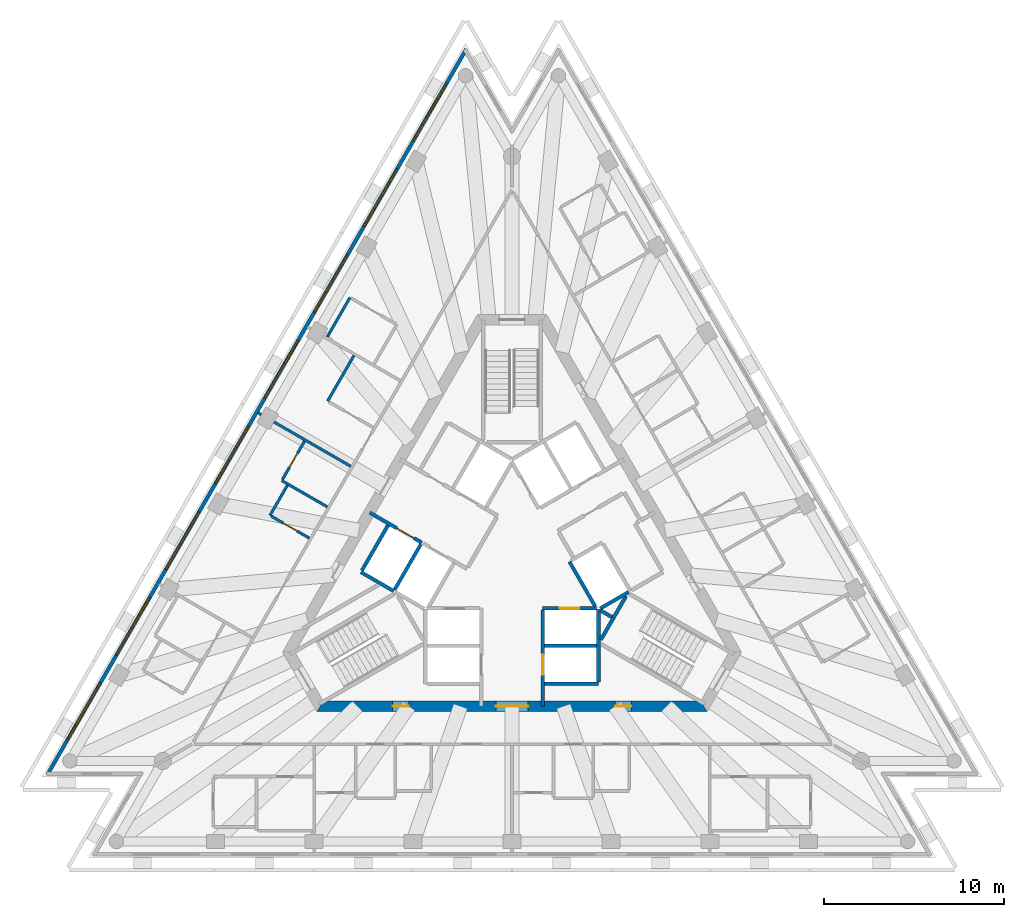
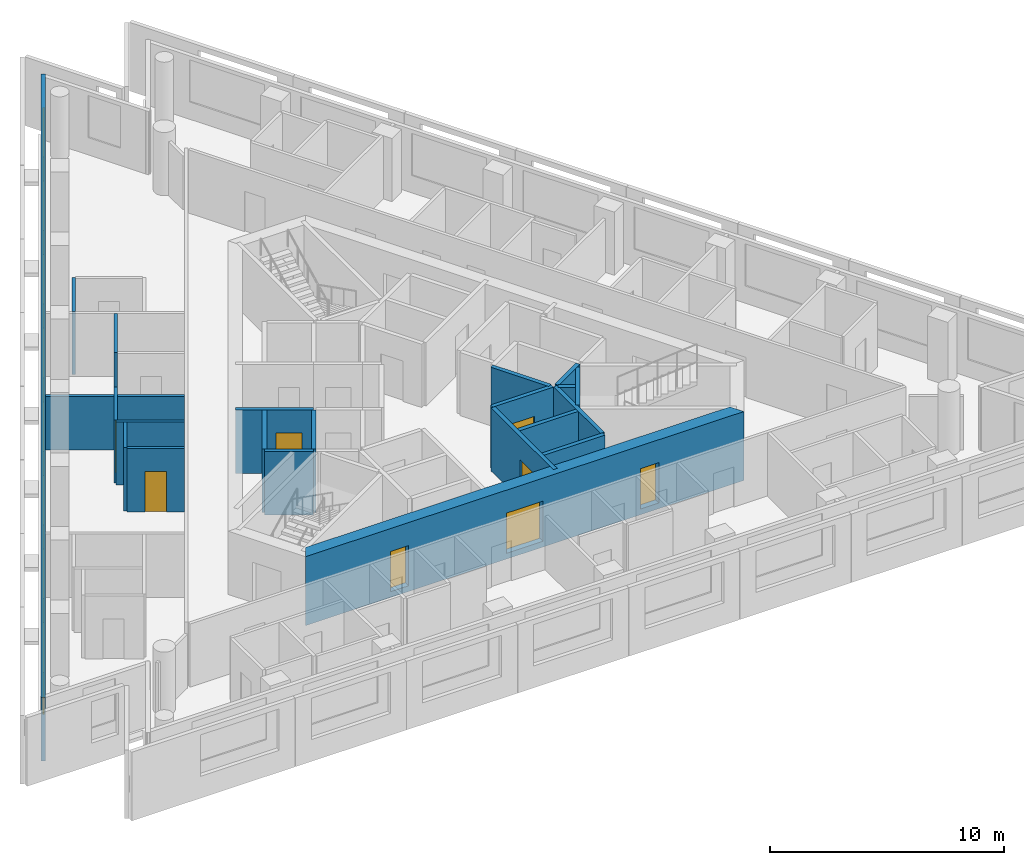
# One storey, part 4 of 9: 22 walls, 8 doors, 8 windows, 16 openings.
"""IFC4 building model written with IfcOpenShell, lengths in metres."""

from ifc_helpers import new_model, si_unit, direction, frame, frame_2d, origin, place, context, subcontext, project, spatial, polyline, rectangle, outline, extrude, material, layer, layer_set, layer_usage, type_object, element, fill, save


model = new_model("IFC4")

# Units and contexts
model_context = context("Model", 3, precision=1e-05, world=origin(), true_north=direction((0.0, 1.0)))
body_context = subcontext(model_context, "Body", "Model", "MODEL_VIEW")
ifc_project = project(units=[si_unit("LENGTHUNIT", "METRE"), si_unit("AREAUNIT", "SQUARE_METRE"), si_unit("VOLUMEUNIT", "CUBIC_METRE"), si_unit("PLANEANGLEUNIT", "RADIAN"), si_unit("MASSUNIT", "GRAM", prefix="KILO")], contexts=[model_context])

# Site, building, storey
site_placement = place(None, origin())
site = spatial("IfcSite", under=ifc_project, at=site_placement, CompositionType="ELEMENT")
building_placement = place(site_placement, origin())
building = spatial("IfcBuilding", under=site, at=building_placement, Name="Triada Interchange Tower", CompositionType="ELEMENT")
storey_placement = place(building_placement, frame((0.0, 0.0, 286.300048828125)))
storey = spatial("IfcBuildingStorey", under=building, at=storey_placement, Name="L67", CompositionType="ELEMENT", Elevation=286.300048828125)

# Walls
ifc_material_1 = material(Name="Concrete C30/37", Category="concrete")
ifc_layer_1 = layer(ifc_material_1, 0.199951171875)
ifc_layer_set_1 = layer_set([ifc_layer_1], Name="CORE WALL 200 EI 120")
wall_type_1 = type_object("IfcWallType", Name="CORE WALL 200 EI 120", PredefinedType="SOLIDWALL", material=ifc_layer_set_1)
wall_1_placement = place(storey_placement, frame((-8.3759765625, -0.70703125, 0.0), z_axis=(0.0, 0.0, 1.0), x_axis=(0.866067520717, -0.499927044236, 0.0)))
element("IfcWall", 1, at=wall_1_placement, inside=storey, type_object=wall_type_1, Name="Wall L65 70", PredefinedType="SOLIDWALL", context=body_context, shape_type="SweptSolid", body=[
    extrude(rectangle(XDim=2.100341796875, YDim=0.199951171875, at=frame_2d((1.05029296875, 0.0))), origin(), (0.0, 0.0, 1.0), 3.300048828125),
])
wall_2_placement = place(storey_placement, frame((-8.325927734375, -0.6201171875, 0.0), z_axis=(0.0, 0.0, 1.0), x_axis=(0.500023687443, 0.866011727401, 0.0)))
element("IfcWall", 2, at=wall_2_placement, inside=storey, type_object=wall_type_1, Name="Wall L65 71", PredefinedType="SOLIDWALL", context=body_context, shape_type="SweptSolid", body=[
    extrude(rectangle(XDim=2.899658203125, YDim=0.199951171875, at=frame_2d((1.44970703125, 0.0))), origin(), (0.0, 0.0, 1.0), 3.300048828125),
])
wall_3_placement = place(storey_placement, frame((1.800048828125, -4.800048828125, 0.0), z_axis=(0.0, 0.0, 1.0), x_axis=(1.0, 0.0, 0.0)))
element("IfcWall", 3, at=wall_3_placement, inside=storey, type_object=wall_type_1, Name="Wall L65 73", PredefinedType="SOLIDWALL", context=body_context, shape_type="SweptSolid", body=[
    extrude(rectangle(XDim=2.89990234375, YDim=0.199951171875, at=frame_2d((1.449951171875, 0.0))), origin(), (0.0, 0.0, 1.0), 3.300048828125),
])
wall_4_placement = place(storey_placement, frame((1.800048828125, -6.89990234375, 0.0), z_axis=(0.0, 0.0, 1.0), x_axis=(1.0, 0.0, 0.0)))
element("IfcWall", 4, at=wall_4_placement, inside=storey, type_object=wall_type_1, Name="Wall L65 76", PredefinedType="SOLIDWALL", context=body_context, shape_type="SweptSolid", body=[
    extrude(rectangle(XDim=3.0, YDim=0.199951171875, at=frame_2d((1.5, 0.0))), origin(), (0.0, 0.0, 1.0), 3.300048828125),
])

# Wall, opening, door
wall_5_placement = place(storey_placement, frame((1.702880859375, -2.699951171875, 0.0), z_axis=(0.0, 0.0, 1.0), x_axis=(1.0, 0.0, 0.0)))
wall_5 = element("IfcWall", 5, at=wall_5_placement, inside=storey, type_object=wall_type_1, Name="Wall L65 79", PredefinedType="SOLIDWALL", context=body_context, shape_type="SweptSolid", body=[
    extrude(rectangle(XDim=2.97314453125, YDim=0.199951171875, at=frame_2d((1.486572265625, 0.0))), origin(), (0.0, 0.0, 1.0), 3.300048828125),
])
opening_1_placement = place(wall_5_placement, frame((0.93603515625, 0.0, 0.0)))
opening_1 = element("IfcOpeningElement", 6, at=opening_1_placement, cuts=wall_5, Name="Opening LD-HR1", PredefinedType="OPENING", context=body_context, shape_type="SweptSolid", body=[
    extrude(rectangle(XDim=1.10009765625, YDim=2.10009765625, at=frame_2d((0.550048828125, 1.050048828125))), frame((0.0, 0.10986328125, 0.0), z_axis=(0.0, -1.0, 0.0), x_axis=(1.0, 0.0, 0.0)), (0.0, 0.0, 1.0), 0.219970703125),
])
ifc_material_2 = material(Name="Steel S235 door leaf", Category="steel")
door_type_1 = type_object("IfcDoorType", Name="LIFT LANDING DOOR 1100 EI 120", OperationType="SLIDING_TO_LEFT", PredefinedType="DOOR", material=ifc_material_2)
door_1_placement = place(opening_1_placement, origin())
door_1 = element("IfcDoor", 7, at=door_1_placement, inside=storey, type_object=door_type_1, Name="HR1 landing door L67", OperationType="SLIDING_TO_LEFT", OverallHeight=2.10009765625, OverallWidth=1.10009765625, PredefinedType="DOOR", context=body_context, shape_type="SweptSolid", body=[
    extrude(rectangle(XDim=1.10009765625, YDim=2.10009765625, at=frame_2d((0.550048828125, 1.050048828125))), frame((0.0, 0.02490234375, 0.0), z_axis=(0.0, -1.0, 0.0), x_axis=(1.0, 0.0, 0.0)), (0.0, 0.0, 1.0), 0.050048828125),
])
fill(opening_1, door_1)

# Wall
wall_6_placement = place(storey_placement, frame((3.18994140625, -0.125, 0.0), z_axis=(0.0, 0.0, 1.0), x_axis=(0.499988658015, -0.866031951983, 0.0)))
element("IfcWall", 8, at=wall_6_placement, inside=storey, type_object=wall_type_1, Name="Wall L65 82", PredefinedType="SOLIDWALL", context=body_context, shape_type="SweptSolid", body=[
    extrude(rectangle(XDim=2.85791015625, YDim=0.199951171875, at=frame_2d((1.428955078125, 0.0))), origin(), (0.0, 0.0, 1.0), 3.300048828125),
])

# Wall, opening, door
wall_7_placement = place(storey_placement, frame((1.699951171875, -8.1298828125, 0.0), z_axis=(0.0, 0.0, 1.0), x_axis=(0.0, 1.0, 0.0)))
wall_7 = element("IfcWall", 9, at=wall_7_placement, inside=storey, type_object=wall_type_1, Name="Wall L65 84", PredefinedType="SOLIDWALL", context=body_context, shape_type="SweptSolid", body=[
    extrude(rectangle(XDim=5.326904296875, YDim=0.199951171875, at=frame_2d((2.66357421875, 0.0))), origin(), (0.0, 0.0, 1.0), 3.300048828125),
])
opening_2_placement = place(wall_7_placement, frame((1.72998046875, 0.0, 0.0)))
opening_2 = element("IfcOpeningElement", 10, at=opening_2_placement, cuts=wall_7, Name="Opening LD-HR2", PredefinedType="OPENING", context=body_context, shape_type="SweptSolid", body=[
    extrude(rectangle(XDim=1.10009765625, YDim=2.10009765625, at=frame_2d((0.550048828125, 1.050048828125))), frame((0.0, 0.10986328125, 0.0), z_axis=(0.0, -1.0, 0.0), x_axis=(1.0, 0.0, 0.0)), (0.0, 0.0, 1.0), 0.219970703125),
])
door_2_placement = place(opening_2_placement, origin())
door_2 = element("IfcDoor", 11, at=door_2_placement, inside=storey, type_object=door_type_1, Name="HR2 landing door L67", OperationType="SLIDING_TO_LEFT", OverallHeight=2.10009765625, OverallWidth=1.10009765625, PredefinedType="DOOR", context=body_context, shape_type="SweptSolid", body=[
    extrude(rectangle(XDim=1.10009765625, YDim=2.10009765625, at=frame_2d((0.550048828125, 1.050048828125))), frame((0.0, 0.02490234375, 0.0), z_axis=(0.0, -1.0, 0.0), x_axis=(1.0, 0.0, 0.0)), (0.0, 0.0, 1.0), 0.050048828125),
])
fill(opening_2, door_2)

# Walls
wall_8_placement = place(storey_placement, frame((4.800048828125, -6.800048828125, 0.0), z_axis=(0.0, 0.0, 1.0), x_axis=(0.0, 1.0, 0.0)))
element("IfcWall", 12, at=wall_8_placement, inside=storey, type_object=wall_type_1, Name="Wall L65 85", PredefinedType="SOLIDWALL", context=body_context, shape_type="SweptSolid", body=[
    extrude(rectangle(XDim=4.029052734375, YDim=0.199951171875, at=frame_2d((2.0146484375, 0.0))), origin(), (0.0, 0.0, 1.0), 3.300048828125),
])
wall_9_placement = place(storey_placement, frame((4.89990234375, -2.714111328125, 0.0), z_axis=(0.0, 0.0, 1.0), x_axis=(0.865846928409, 0.500309001083, 0.0)))
element("IfcWall", 13, at=wall_9_placement, inside=storey, type_object=wall_type_1, Name="Wall L65 91", PredefinedType="SOLIDWALL", context=body_context, shape_type="SweptSolid", body=[
    extrude(rectangle(XDim=1.813232421875, YDim=0.199951171875, at=frame_2d((0.90673828125, 0.0))), origin(), (0.0, 0.0, 1.0), 3.300048828125),
])

# Wall, opening, door
ifc_layer_2 = layer(ifc_material_1, 0.199951171875)
ifc_layer_set_2 = layer_set([ifc_layer_2], Name="CORE WALL 200 EI 180")
wall_type_2 = type_object("IfcWallType", Name="CORE WALL 200 EI 180", PredefinedType="SOLIDWALL", material=ifc_layer_set_2)
wall_10_placement = place(storey_placement, frame((-7.89111328125, 2.593017578125, 0.0), z_axis=(0.0, 0.0, 1.0), x_axis=(0.866070917804, -0.499921159118, 0.0)))
wall_10 = element("IfcWall", 14, at=wall_10_placement, inside=storey, type_object=wall_type_2, Name="Wall L65 95", PredefinedType="SOLIDWALL", context=body_context, shape_type="SweptSolid", body=[
    extrude(rectangle(XDim=3.33251953125, YDim=0.199951171875, at=frame_2d((1.666259765625, 0.0))), origin(), (0.0, 0.0, 1.0), 3.300048828125),
])
opening_3_placement = place(wall_10_placement, frame((1.72998046875, 0.0, 0.0)))
opening_3 = element("IfcOpeningElement", 15, at=opening_3_placement, cuts=wall_10, Name="Opening LD-SV1", PredefinedType="OPENING", context=body_context, shape_type="SweptSolid", body=[
    extrude(rectangle(XDim=1.10009765625, YDim=2.10009765625, at=frame_2d((0.550048828125, 1.050048828125))), frame((0.0, 0.10986328125, 0.0), z_axis=(0.0, -1.0, 0.0), x_axis=(1.0, 0.0, 0.0)), (0.0, 0.0, 1.0), 0.219970703125),
])
door_3_placement = place(opening_3_placement, origin())
door_3 = element("IfcDoor", 16, at=door_3_placement, inside=storey, type_object=door_type_1, Name="SV1 landing door L67", OperationType="SLIDING_TO_LEFT", OverallHeight=2.10009765625, OverallWidth=1.10009765625, PredefinedType="DOOR", context=body_context, shape_type="SweptSolid", body=[
    extrude(rectangle(XDim=1.10009765625, YDim=2.10009765625, at=frame_2d((0.550048828125, 1.050048828125))), frame((0.0, 0.02490234375, 0.0), z_axis=(0.0, -1.0, 0.0), x_axis=(1.0, 0.0, 0.0)), (0.0, 0.0, 1.0), 0.050048828125),
])
fill(opening_3, door_3)

# Walls
wall_11_placement = place(storey_placement, frame((-6.507080078125, -1.669921875, 0.0), z_axis=(0.0, 0.0, 1.0), x_axis=(0.50012328804, 0.865954211699, 0.0)))
element("IfcWall", 17, at=wall_11_placement, inside=storey, type_object=wall_type_2, Name="Shaft wall FF1 L65 102", PredefinedType="SOLIDWALL", context=body_context, shape_type="SweptSolid", body=[
    extrude(rectangle(XDim=2.899658203125, YDim=0.199951171875, at=frame_2d((1.44970703125, 0.0))), origin(), (0.0, 0.0, 1.0), 3.300048828125),
])
ifc_layer_3 = layer(ifc_material_1, 0.199951171875)
ifc_layer_set_3 = layer_set([ifc_layer_3], Name="CORE WALL 200 EI 90")
wall_type_3 = type_object("IfcWallType", Name="CORE WALL 200 EI 90", PredefinedType="SOLIDWALL", material=ifc_layer_set_3)
wall_12_placement = place(storey_placement, frame((4.89990234375, -2.8291015625, 0.0), z_axis=(0.0, 0.0, 1.0), x_axis=(0.866273177064, -0.499570598314, 0.0)))
element("IfcWall", 18, at=wall_12_placement, inside=storey, type_object=wall_type_3, Name="Wall L65 111", PredefinedType="SOLIDWALL", context=body_context, shape_type="SweptSolid", body=[
    extrude(rectangle(XDim=0.742431640625, YDim=0.199951171875, at=frame_2d((0.37109375, 0.0))), origin(), (0.0, 0.0, 1.0), 3.300048828125),
])
ifc_layer_4 = layer(ifc_material_1, 0.199951171875)
ifc_layer_set_4 = layer_set([ifc_layer_4], Name="CORE WALL 200 REI 240")
wall_type_4 = type_object("IfcWallType", Name="CORE WALL 200 REI 240", PredefinedType="SOLIDWALL", material=ifc_layer_set_4)
wall_13_placement = place(storey_placement, frame((4.928955078125, -4.4619140625, 0.0), z_axis=(0.0, 0.0, 1.0), x_axis=(0.500200581029, 0.865909567298, 0.0)))
element("IfcWall", 19, at=wall_13_placement, inside=storey, type_object=wall_type_4, Name="Wall L65 121", PredefinedType="SOLIDWALL", context=body_context, shape_type="SweptSolid", body=[
    extrude(rectangle(XDim=2.799072265625, YDim=0.199951171875, at=frame_2d((1.3994140625, 0.0))), origin(), (0.0, 0.0, 1.0), 3.300048828125),
])

# Wall, openings, doors
ifc_material_3 = material(Name="Concrete C40/50", Category="concrete")
ifc_layer_5 = layer(ifc_material_3, 0.60009765625)
ifc_layer_set_5 = layer_set([ifc_layer_5], Name="Core wall D 600")
wall_type_5 = type_object("IfcWallType", Name="Core wall D 600", PredefinedType="SHEAR", material=ifc_layer_set_5)
wall_14_placement = place(storey_placement, frame((-10.652099609375, -8.14990234375, -0.300048828125), z_axis=(0.0, 0.0, 1.0), x_axis=(1.0, 0.0, 0.0)))
wall_14 = element("IfcWall", 20, at=wall_14_placement, inside=storey, type_object=wall_type_5, Name="Core wall WD04 L67", PredefinedType="SHEAR", context=body_context, shape_type="SweptSolid", body=[
    extrude(outline(polyline([(-0.173095703125, -0.300048828125), (1.795166015625, -0.300048828125), (3.76318359375, -0.300048828125), (5.7314453125, -0.300048828125), (7.69970703125, -0.300048828125), (9.66796875, -0.300048828125), (11.635986328125, -0.300048828125), (13.604248046875, -0.300048828125), (15.572509765625, -0.300048828125), (17.540771484375, -0.300048828125), (19.5087890625, -0.300048828125), (21.47705078125, -0.300048828125), (21.131103515625, 0.300048828125), (19.225830078125, 0.300048828125), (17.320556640625, 0.300048828125), (15.415283203125, 0.300048828125), (13.510009765625, 0.300048828125), (11.604736328125, 0.300048828125), (9.699462890625, 0.300048828125), (7.794189453125, 0.300048828125), (5.888916015625, 0.300048828125), (3.983642578125, 0.300048828125), (2.078369140625, 0.300048828125), (0.173095703125, 0.300048828125), (-0.173095703125, -0.300048828125)])), origin(), (0.0, 0.0, 1.0), 3.60009765625),
])
opening_4_placement = place(wall_14_placement, frame((9.751953125, 0.0, 0.300048828125)))
opening_4 = element("IfcOpeningElement", 21, at=opening_4_placement, cuts=wall_14, Name="Opening D65-48", PredefinedType="OPENING", context=body_context, shape_type="SweptSolid", body=[
    extrude(rectangle(XDim=1.800048828125, YDim=2.10009765625, at=frame_2d((0.89990234375, 1.050048828125))), frame((0.0, 0.31005859375, 0.0), z_axis=(0.0, -1.0, 0.0), x_axis=(1.0, 0.0, 0.0)), (0.0, 0.0, 1.0), 0.6201171875),
])
opening_5_placement = place(wall_14_placement, frame((4.02587890625, 0.0, 0.300048828125)))
opening_5 = element("IfcOpeningElement", 22, at=opening_5_placement, cuts=wall_14, Name="Opening D65-54", PredefinedType="OPENING", context=body_context, shape_type="SweptSolid", body=[
    extrude(rectangle(XDim=0.89990234375, YDim=2.10009765625, at=frame_2d((0.449951171875, 1.050048828125))), frame((0.0, 0.31005859375, 0.0), z_axis=(0.0, -1.0, 0.0), x_axis=(1.0, 0.0, 0.0)), (0.0, 0.0, 1.0), 0.6201171875),
])
opening_6_placement = place(wall_14_placement, frame((16.3779296875, 0.0, 0.300048828125)))
opening_6 = element("IfcOpeningElement", 23, at=opening_6_placement, cuts=wall_14, Name="Opening D65-56", PredefinedType="OPENING", context=body_context, shape_type="SweptSolid", body=[
    extrude(rectangle(XDim=0.89990234375, YDim=2.10009765625, at=frame_2d((0.449951171875, 1.050048828125))), frame((0.0, 0.31005859375, 0.0), z_axis=(0.0, -1.0, 0.0), x_axis=(1.0, 0.0, 0.0)), (0.0, 0.0, 1.0), 0.6201171875),
])
door_type_2 = type_object("IfcDoorType", Name="LOBBY DOOR 1800 EI2 90-C5S200", OperationType="DOUBLE_DOOR_SINGLE_SWING", PredefinedType="DOOR", material=ifc_material_2)
door_4_placement = place(opening_4_placement, origin())
door_4 = element("IfcDoor", 24, at=door_4_placement, inside=storey, type_object=door_type_2, Name="Door D65-48 L67", OperationType="DOUBLE_DOOR_SINGLE_SWING", OverallHeight=2.10009765625, OverallWidth=1.800048828125, PredefinedType="DOOR", context=body_context, shape_type="SweptSolid", body=[
    extrude(rectangle(XDim=1.800048828125, YDim=2.10009765625, at=frame_2d((0.89990234375, 1.050048828125))), frame((0.0, 0.02490234375, 0.0), z_axis=(0.0, -1.0, 0.0), x_axis=(1.0, 0.0, 0.0)), (0.0, 0.0, 1.0), 0.050048828125),
])
fill(opening_4, door_4)
door_type_3 = type_object("IfcDoorType", Name="SERVICE DOOR 900 EI2 45-C5S200", OperationType="NOTDEFINED", PredefinedType="DOOR", material=ifc_material_2)
door_5_placement = place(opening_5_placement, origin())
door_5 = element("IfcDoor", 25, at=door_5_placement, inside=storey, type_object=door_type_3, Name="Door D65-54 L67", OperationType="SINGLE_SWING_RIGHT", OverallHeight=2.10009765625, OverallWidth=0.89990234375, PredefinedType="DOOR", context=body_context, shape_type="SweptSolid", body=[
    extrude(rectangle(XDim=0.89990234375, YDim=2.10009765625, at=frame_2d((0.449951171875, 1.050048828125))), frame((0.0, 0.02490234375, 0.0), z_axis=(0.0, -1.0, 0.0), x_axis=(1.0, 0.0, 0.0)), (0.0, 0.0, 1.0), 0.050048828125),
])
fill(opening_5, door_5)
door_6_placement = place(opening_6_placement, origin())
door_6 = element("IfcDoor", 26, at=door_6_placement, inside=storey, type_object=door_type_3, Name="Door D65-56 L67", OperationType="SINGLE_SWING_RIGHT", OverallHeight=2.10009765625, OverallWidth=0.89990234375, PredefinedType="DOOR", context=body_context, shape_type="SweptSolid", body=[
    extrude(rectangle(XDim=0.89990234375, YDim=2.10009765625, at=frame_2d((0.449951171875, 1.050048828125))), frame((0.0, 0.02490234375, 0.0), z_axis=(0.0, -1.0, 0.0), x_axis=(1.0, 0.0, 0.0)), (0.0, 0.0, 1.0), 0.050048828125),
])
fill(opening_6, door_6)

# Wall, openings, windows
ifc_material_4 = material(Name="Cement board")
ifc_layer_6 = layer(ifc_material_4, 0.02001953125, Name="Cement board cladding")
ifc_material_5 = material(Name="Sheathing board")
ifc_layer_7 = layer(ifc_material_5, 0.014892578125, Name="Sheathing board")
ifc_material_6 = material(Name="Mineral wool")
ifc_layer_8 = layer(ifc_material_6, 0.14990234375, Name="Mineral wool between steel studs")
ifc_material_7 = material(Name="Gypsum board")
ifc_layer_9 = layer(ifc_material_7, 0.014892578125, Name="Plasterboard lining")
ifc_layer_set_6 = layer_set([ifc_layer_6, ifc_layer_7, ifc_layer_8, ifc_layer_9], Name="External wall 200")
ifc_layer_usage = layer_usage(ifc_layer_set_6, "AXIS2", "POSITIVE", -0.10009765625)
wall_type_6 = type_object("IfcWallType", Name="External wall 200", PredefinedType="ELEMENTEDWALL", material=ifc_layer_set_6)
wall_15_placement = place(storey_placement, frame((-2.535888671875, 28.31591796875, 0.0), z_axis=(0.0, 0.0, 1.0), x_axis=(-0.500006870765, -0.86602143691, 0.0)))
wall_15 = element("IfcWall", 27, at=wall_15_placement, inside=storey, type_object=wall_type_6, material=ifc_layer_usage, Name="External wall L67 NW", PredefinedType="ELEMENTEDWALL", context=body_context, shape_type="SweptSolid", body=[
    extrude(rectangle(XDim=46.489501953125, YDim=0.199951171875, at=frame_2d((23.24462890625, 0.0))), origin(), (0.0, 0.0, 1.0), 3.300048828125),
])
opening_7_placement = place(wall_15_placement, frame((2.196044921875, 0.0, 0.89990234375)))
opening_7 = element("IfcOpeningElement", 28, at=opening_7_placement, cuts=wall_15, Name="Opening WD01", PredefinedType="OPENING", context=body_context, shape_type="SweptSolid", body=[
    extrude(rectangle(XDim=3.699951171875, YDim=2.199951171875, at=frame_2d((1.85009765625, 1.10009765625))), frame((0.0, 0.10986328125, 0.0), z_axis=(0.0, -1.0, 0.0), x_axis=(1.0, 0.0, 0.0)), (0.0, 0.0, 1.0), 0.219970703125),
])
opening_8_placement = place(wall_15_placement, frame((7.68408203125, 0.0, 0.89990234375)))
opening_8 = element("IfcOpeningElement", 29, at=opening_8_placement, cuts=wall_15, Name="Opening WD02", PredefinedType="OPENING", context=body_context, shape_type="SweptSolid", body=[
    extrude(rectangle(XDim=3.699951171875, YDim=2.199951171875, at=frame_2d((1.85009765625, 1.10009765625))), frame((0.0, 0.10986328125, 0.0), z_axis=(0.0, -1.0, 0.0), x_axis=(1.0, 0.0, 0.0)), (0.0, 0.0, 1.0), 0.219970703125),
])
opening_9_placement = place(wall_15_placement, frame((13.172119140625, 0.0, 0.89990234375)))
opening_9 = element("IfcOpeningElement", 30, at=opening_9_placement, cuts=wall_15, Name="Opening WD03", PredefinedType="OPENING", context=body_context, shape_type="SweptSolid", body=[
    extrude(rectangle(XDim=3.699951171875, YDim=2.199951171875, at=frame_2d((1.85009765625, 1.10009765625))), frame((0.0, 0.10986328125, 0.0), z_axis=(0.0, -1.0, 0.0), x_axis=(1.0, 0.0, 0.0)), (0.0, 0.0, 1.0), 0.219970703125),
])
opening_10_placement = place(wall_15_placement, frame((18.659912109375, 0.0, 0.89990234375)))
opening_10 = element("IfcOpeningElement", 31, at=opening_10_placement, cuts=wall_15, Name="Opening WD04", PredefinedType="OPENING", context=body_context, shape_type="SweptSolid", body=[
    extrude(rectangle(XDim=3.699951171875, YDim=2.199951171875, at=frame_2d((1.85009765625, 1.10009765625))), frame((0.0, 0.10986328125, 0.0), z_axis=(0.0, -1.0, 0.0), x_axis=(1.0, 0.0, 0.0)), (0.0, 0.0, 1.0), 0.219970703125),
])
opening_11_placement = place(wall_15_placement, frame((24.14794921875, 0.0, 0.89990234375)))
opening_11 = element("IfcOpeningElement", 32, at=opening_11_placement, cuts=wall_15, Name="Opening WD05", PredefinedType="OPENING", context=body_context, shape_type="SweptSolid", body=[
    extrude(rectangle(XDim=3.699951171875, YDim=2.199951171875, at=frame_2d((1.85009765625, 1.10009765625))), frame((0.0, 0.10986328125, 0.0), z_axis=(0.0, -1.0, 0.0), x_axis=(1.0, 0.0, 0.0)), (0.0, 0.0, 1.0), 0.219970703125),
])
opening_12_placement = place(wall_15_placement, frame((29.635986328125, 0.0, 0.89990234375)))
opening_12 = element("IfcOpeningElement", 33, at=opening_12_placement, cuts=wall_15, Name="Opening WD06", PredefinedType="OPENING", context=body_context, shape_type="SweptSolid", body=[
    extrude(rectangle(XDim=3.699951171875, YDim=2.199951171875, at=frame_2d((1.85009765625, 1.10009765625))), frame((0.0, 0.10986328125, 0.0), z_axis=(0.0, -1.0, 0.0), x_axis=(1.0, 0.0, 0.0)), (0.0, 0.0, 1.0), 0.219970703125),
])
opening_13_placement = place(wall_15_placement, frame((35.1240234375, 0.0, 0.89990234375)))
opening_13 = element("IfcOpeningElement", 34, at=opening_13_placement, cuts=wall_15, Name="Opening WD07", PredefinedType="OPENING", context=body_context, shape_type="SweptSolid", body=[
    extrude(rectangle(XDim=3.699951171875, YDim=2.199951171875, at=frame_2d((1.85009765625, 1.10009765625))), frame((0.0, 0.10986328125, 0.0), z_axis=(0.0, -1.0, 0.0), x_axis=(1.0, 0.0, 0.0)), (0.0, 0.0, 1.0), 0.219970703125),
])
opening_14_placement = place(wall_15_placement, frame((40.612060546875, 0.0, 0.89990234375)))
opening_14 = element("IfcOpeningElement", 35, at=opening_14_placement, cuts=wall_15, Name="Opening WD08", PredefinedType="OPENING", context=body_context, shape_type="SweptSolid", body=[
    extrude(rectangle(XDim=3.699951171875, YDim=2.199951171875, at=frame_2d((1.85009765625, 1.10009765625))), frame((0.0, 0.10986328125, 0.0), z_axis=(0.0, -1.0, 0.0), x_axis=(1.0, 0.0, 0.0)), (0.0, 0.0, 1.0), 0.219970703125),
])
ifc_material_8 = material(Name="Double glazed aluminium window", Category="aluminium")
window_type = type_object("IfcWindowType", Name="Ribbon window D face", PartitioningType="SINGLE_PANEL", PredefinedType="WINDOW", material=ifc_material_8)
window_1_placement = place(opening_7_placement, origin())
window_1 = element("IfcWindow", 36, at=window_1_placement, inside=storey, type_object=window_type, Name="Window L67 NW 1", OverallHeight=2.199951171875, OverallWidth=3.699951171875, PartitioningType="SINGLE_PANEL", PredefinedType="WINDOW", context=body_context, shape_type="SweptSolid", body=[
    extrude(rectangle(XDim=3.699951171875, YDim=2.199951171875, at=frame_2d((1.85009765625, 1.10009765625))), frame((0.0, 0.030029296875, 0.0), z_axis=(0.0, -1.0, 0.0), x_axis=(1.0, 0.0, 0.0)), (0.0, 0.0, 1.0), 0.06005859375),
])
fill(opening_7, window_1)
window_2_placement = place(opening_8_placement, origin())
window_2 = element("IfcWindow", 37, at=window_2_placement, inside=storey, type_object=window_type, Name="Window L67 NW 2", OverallHeight=2.199951171875, OverallWidth=3.699951171875, PartitioningType="SINGLE_PANEL", PredefinedType="WINDOW", context=body_context, shape_type="SweptSolid", body=[
    extrude(rectangle(XDim=3.699951171875, YDim=2.199951171875, at=frame_2d((1.85009765625, 1.10009765625))), frame((0.0, 0.030029296875, 0.0), z_axis=(0.0, -1.0, 0.0), x_axis=(1.0, 0.0, 0.0)), (0.0, 0.0, 1.0), 0.06005859375),
])
fill(opening_8, window_2)
window_3_placement = place(opening_9_placement, origin())
window_3 = element("IfcWindow", 38, at=window_3_placement, inside=storey, type_object=window_type, Name="Window L67 NW 3", OverallHeight=2.199951171875, OverallWidth=3.699951171875, PartitioningType="SINGLE_PANEL", PredefinedType="WINDOW", context=body_context, shape_type="SweptSolid", body=[
    extrude(rectangle(XDim=3.699951171875, YDim=2.199951171875, at=frame_2d((1.85009765625, 1.10009765625))), frame((0.0, 0.030029296875, 0.0), z_axis=(0.0, -1.0, 0.0), x_axis=(1.0, 0.0, 0.0)), (0.0, 0.0, 1.0), 0.06005859375),
])
fill(opening_9, window_3)
window_4_placement = place(opening_10_placement, origin())
window_4 = element("IfcWindow", 39, at=window_4_placement, inside=storey, type_object=window_type, Name="Window L67 NW 4", OverallHeight=2.199951171875, OverallWidth=3.699951171875, PartitioningType="SINGLE_PANEL", PredefinedType="WINDOW", context=body_context, shape_type="SweptSolid", body=[
    extrude(rectangle(XDim=3.699951171875, YDim=2.199951171875, at=frame_2d((1.85009765625, 1.10009765625))), frame((0.0, 0.030029296875, 0.0), z_axis=(0.0, -1.0, 0.0), x_axis=(1.0, 0.0, 0.0)), (0.0, 0.0, 1.0), 0.06005859375),
])
fill(opening_10, window_4)
window_5_placement = place(opening_11_placement, origin())
window_5 = element("IfcWindow", 40, at=window_5_placement, inside=storey, type_object=window_type, Name="Window L67 NW 5", OverallHeight=2.199951171875, OverallWidth=3.699951171875, PartitioningType="SINGLE_PANEL", PredefinedType="WINDOW", context=body_context, shape_type="SweptSolid", body=[
    extrude(rectangle(XDim=3.699951171875, YDim=2.199951171875, at=frame_2d((1.85009765625, 1.10009765625))), frame((0.0, 0.030029296875, 0.0), z_axis=(0.0, -1.0, 0.0), x_axis=(1.0, 0.0, 0.0)), (0.0, 0.0, 1.0), 0.06005859375),
])
fill(opening_11, window_5)
window_6_placement = place(opening_12_placement, origin())
window_6 = element("IfcWindow", 41, at=window_6_placement, inside=storey, type_object=window_type, Name="Window L67 NW 6", OverallHeight=2.199951171875, OverallWidth=3.699951171875, PartitioningType="SINGLE_PANEL", PredefinedType="WINDOW", context=body_context, shape_type="SweptSolid", body=[
    extrude(rectangle(XDim=3.699951171875, YDim=2.199951171875, at=frame_2d((1.85009765625, 1.10009765625))), frame((0.0, 0.030029296875, 0.0), z_axis=(0.0, -1.0, 0.0), x_axis=(1.0, 0.0, 0.0)), (0.0, 0.0, 1.0), 0.06005859375),
])
fill(opening_12, window_6)
window_7_placement = place(opening_13_placement, origin())
window_7 = element("IfcWindow", 42, at=window_7_placement, inside=storey, type_object=window_type, Name="Window L67 NW 7", OverallHeight=2.199951171875, OverallWidth=3.699951171875, PartitioningType="SINGLE_PANEL", PredefinedType="WINDOW", context=body_context, shape_type="SweptSolid", body=[
    extrude(rectangle(XDim=3.699951171875, YDim=2.199951171875, at=frame_2d((1.85009765625, 1.10009765625))), frame((0.0, 0.030029296875, 0.0), z_axis=(0.0, -1.0, 0.0), x_axis=(1.0, 0.0, 0.0)), (0.0, 0.0, 1.0), 0.06005859375),
])
fill(opening_13, window_7)
window_8_placement = place(opening_14_placement, origin())
window_8 = element("IfcWindow", 43, at=window_8_placement, inside=storey, type_object=window_type, Name="Window L67 NW 8", OverallHeight=2.199951171875, OverallWidth=3.699951171875, PartitioningType="SINGLE_PANEL", PredefinedType="WINDOW", context=body_context, shape_type="SweptSolid", body=[
    extrude(rectangle(XDim=3.699951171875, YDim=2.199951171875, at=frame_2d((1.85009765625, 1.10009765625))), frame((0.0, 0.030029296875, 0.0), z_axis=(0.0, -1.0, 0.0), x_axis=(1.0, 0.0, 0.0)), (0.0, 0.0, 1.0), 0.06005859375),
])
fill(opening_14, window_8)

# Walls
ifc_material_9 = material(Name="Gypsum board partition")
ifc_layer_10 = layer(ifc_material_9, 0.14990234375)
ifc_layer_set_7 = layer_set([ifc_layer_10], Name="PARTITION 150 EI 180")
wall_type_7 = type_object("IfcWallType", Name="PARTITION 150 EI 180", PredefinedType="PARTITIONING", material=ifc_layer_set_7)
wall_16_placement = place(storey_placement, frame((-14.093994140625, 8.136962890625, 0.0), z_axis=(0.0, 0.0, 1.0), x_axis=(0.866004483474, -0.50003623329, 0.0)))
element("IfcWall", 44, at=wall_16_placement, inside=storey, type_object=wall_type_7, Name="Wall L65 6", PredefinedType="PARTITIONING", context=body_context, shape_type="SweptSolid", body=[
    extrude(rectangle(XDim=5.94921875, YDim=0.14990234375, at=frame_2d((2.974609375, 0.0))), origin(), (0.0, 0.0, 1.0), 2.800048828125),
])
ifc_layer_11 = layer(ifc_material_9, 0.14990234375)
ifc_layer_set_8 = layer_set([ifc_layer_11], Name="PARTITION 150 EI 90")
wall_type_8 = type_object("IfcWallType", Name="PARTITION 150 EI 90", PredefinedType="PARTITIONING", material=ifc_layer_set_8)
wall_17_placement = place(storey_placement, frame((-10.251953125, 12.343017578125, 0.0), z_axis=(0.0, 0.0, 1.0), x_axis=(0.499956887143, 0.866050293573, 0.0)))
element("IfcWall", 45, at=wall_17_placement, inside=storey, type_object=wall_type_8, Name="Wall L65 37", PredefinedType="PARTITIONING", context=body_context, shape_type="SweptSolid", body=[
    extrude(rectangle(XDim=2.524169921875, YDim=0.14990234375, at=frame_2d((1.26220703125, 0.0))), origin(), (0.0, 0.0, 1.0), 3.300048828125),
])
wall_18_placement = place(storey_placement, frame((-12.77490234375, 4.373046875, 0.0), z_axis=(0.0, 0.0, 1.0), x_axis=(0.866061874444, -0.499936825643, 0.0)))
element("IfcWall", 46, at=wall_18_placement, inside=storey, type_object=wall_type_8, Name="Wall L65 46", PredefinedType="PARTITIONING", context=body_context, shape_type="SweptSolid", body=[
    extrude(rectangle(XDim=2.9248046875, YDim=0.14990234375, at=frame_2d((1.46240234375, 0.0))), origin(), (0.0, 0.0, 1.0), 3.300048828125),
])

# Wall, opening, door
wall_19_placement = place(storey_placement, frame((-12.737060546875, 4.43798828125, 0.0), z_axis=(0.0, 0.0, 1.0), x_axis=(0.499975448907, 0.8660395779, 0.0)))
wall_19 = element("IfcWall", 47, at=wall_19_placement, inside=storey, type_object=wall_type_8, Name="Wall L65 47", PredefinedType="PARTITIONING", context=body_context, shape_type="SweptSolid", body=[
    extrude(rectangle(XDim=2.4501953125, YDim=0.14990234375, at=frame_2d((1.22509765625, 0.0))), origin(), (0.0, 0.0, 1.0), 3.300048828125),
])
opening_15_placement = place(wall_19_placement, frame((0.77490234375, 0.0, 0.0)))
opening_15 = element("IfcOpeningElement", 48, at=opening_15_placement, cuts=wall_19, Name="Opening D65-43", PredefinedType="OPENING", context=body_context, shape_type="SweptSolid", body=[
    extrude(rectangle(XDim=0.89990234375, YDim=2.10009765625, at=frame_2d((0.449951171875, 1.050048828125))), frame((0.0, 0.0849609375, 0.0), z_axis=(0.0, -1.0, 0.0), x_axis=(1.0, 0.0, 0.0)), (0.0, 0.0, 1.0), 0.169921875),
])
door_type_4 = type_object("IfcDoorType", Name="ROOM DOOR 900 EI2 45-C5S200", OperationType="NOTDEFINED", PredefinedType="DOOR", material=ifc_material_2)
door_7_placement = place(opening_15_placement, origin())
door_7 = element("IfcDoor", 49, at=door_7_placement, inside=storey, type_object=door_type_4, Name="Door D65-43 L67", OperationType="SINGLE_SWING_LEFT", OverallHeight=2.10009765625, OverallWidth=0.89990234375, PredefinedType="DOOR", context=body_context, shape_type="SweptSolid", body=[
    extrude(rectangle(XDim=0.89990234375, YDim=2.10009765625, at=frame_2d((0.449951171875, 1.050048828125))), frame((0.0, 0.02490234375, 0.0), z_axis=(0.0, -1.0, 0.0), x_axis=(1.0, 0.0, 0.0)), (0.0, 0.0, 1.0), 0.050048828125),
])
fill(opening_15, door_7)

# Walls
wall_20_placement = place(storey_placement, frame((-10.23095703125, 8.780029296875, 0.0), z_axis=(0.0, 0.0, 1.0), x_axis=(0.500124626836, 0.865953438489, 0.0)))
element("IfcWall", 50, at=wall_20_placement, inside=storey, type_object=wall_type_8, Name="Wall L65 48", PredefinedType="PARTITIONING", context=body_context, shape_type="SweptSolid", body=[
    extrude(rectangle(XDim=2.925048828125, YDim=0.14990234375, at=frame_2d((1.46240234375, 0.0))), origin(), (0.0, 0.0, 1.0), 3.300048828125),
])
wall_21_placement = place(storey_placement, frame((-13.427978515625, 2.44091796875, 0.0), z_axis=(0.0, 0.0, 1.0), x_axis=(0.499795662447, 0.866143345988, 0.0)))
element("IfcWall", 51, at=wall_21_placement, inside=storey, type_object=wall_type_8, Name="Wall L65 49", PredefinedType="PARTITIONING", context=body_context, shape_type="SweptSolid", body=[
    extrude(rectangle(XDim=1.924560546875, YDim=0.14990234375, at=frame_2d((0.96240234375, 0.0))), origin(), (0.0, 0.0, 1.0), 3.300048828125),
])

# Wall, opening, door
wall_22_placement = place(storey_placement, frame((-13.364013671875, 2.404052734375, 0.0), z_axis=(0.0, 0.0, 1.0), x_axis=(0.8660395779, -0.499975448907, 0.0)))
wall_22 = element("IfcWall", 52, at=wall_22_placement, inside=storey, type_object=wall_type_8, Name="Wall L65 50", PredefinedType="PARTITIONING", context=body_context, shape_type="SweptSolid", body=[
    extrude(rectangle(XDim=2.4501953125, YDim=0.14990234375, at=frame_2d((1.22509765625, 0.0))), origin(), (0.0, 0.0, 1.0), 3.300048828125),
])
opening_16_placement = place(wall_22_placement, frame((0.77587890625, 0.0, 0.0)))
opening_16 = element("IfcOpeningElement", 53, at=opening_16_placement, cuts=wall_22, Name="Opening D65-44", PredefinedType="OPENING", context=body_context, shape_type="SweptSolid", body=[
    extrude(rectangle(XDim=0.89990234375, YDim=2.10009765625, at=frame_2d((0.449951171875, 1.050048828125))), frame((0.0, 0.0849609375, 0.0), z_axis=(0.0, -1.0, 0.0), x_axis=(1.0, 0.0, 0.0)), (0.0, 0.0, 1.0), 0.169921875),
])
door_8_placement = place(opening_16_placement, origin())
door_8 = element("IfcDoor", 54, at=door_8_placement, inside=storey, type_object=door_type_3, Name="Door D65-44 L67", OperationType="SINGLE_SWING_RIGHT", OverallHeight=2.10009765625, OverallWidth=0.89990234375, PredefinedType="DOOR", context=body_context, shape_type="SweptSolid", body=[
    extrude(rectangle(XDim=0.89990234375, YDim=2.10009765625, at=frame_2d((0.449951171875, 1.050048828125))), frame((0.0, 0.02490234375, 0.0), z_axis=(0.0, -1.0, 0.0), x_axis=(1.0, 0.0, 0.0)), (0.0, 0.0, 1.0), 0.050048828125),
])
fill(opening_16, door_8)

save(model, "model.ifc")
